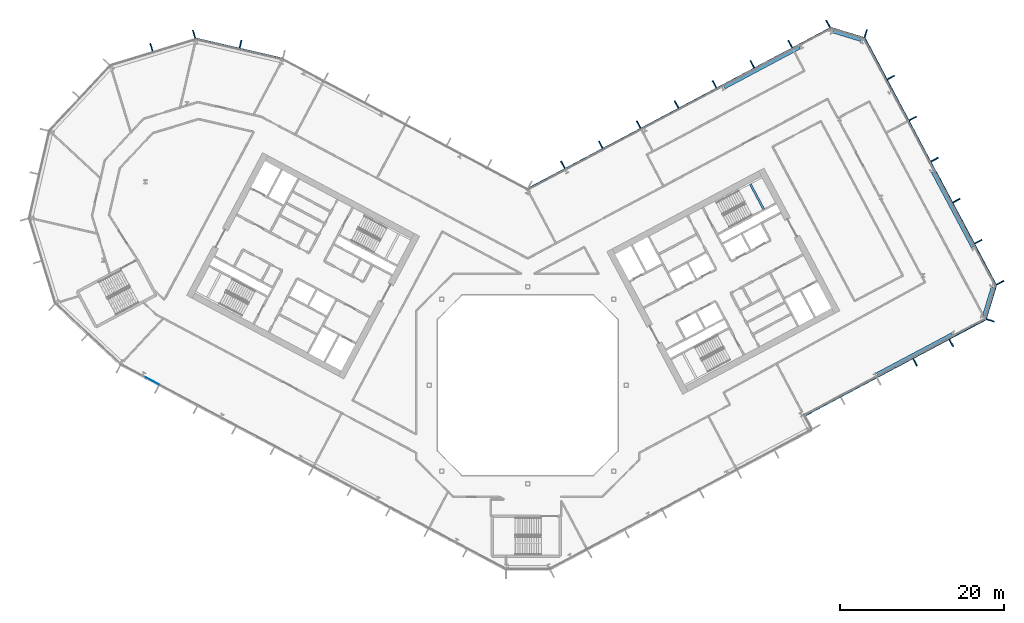
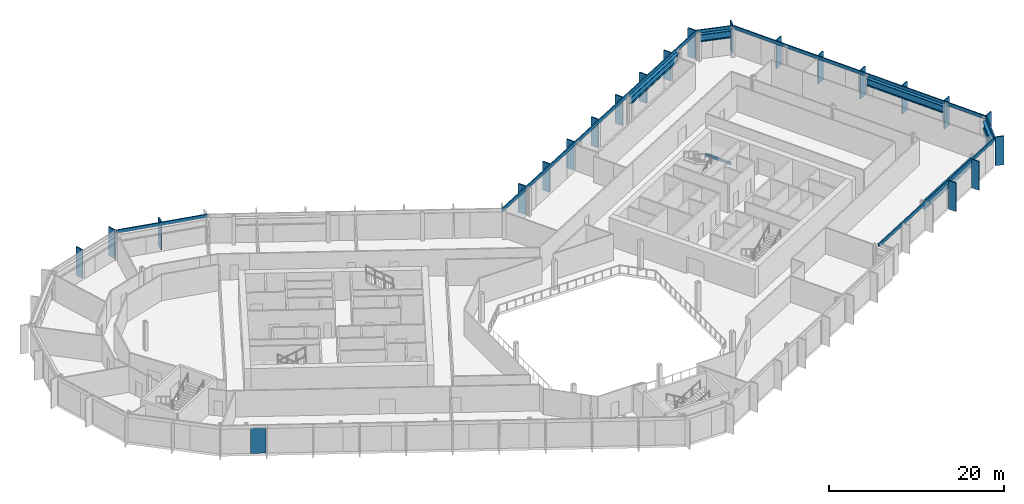
# One storey, part 10 of 28: 27 members, 6 beams, 1 plate, 8 elements without a shape of their own.
"""IFC4 building model written with IfcOpenShell, lengths in metres."""

from ifc_helpers import new_model, si_unit, direction, frame, origin, origin_2d, place, context, subcontext, project, spatial, rectangle, i_section, extrude, material, layer, layer_set, material_profile, profile_set, type_object, element, aggregate, save


model = new_model("IFC4")

# Units and contexts
model_context = context("Model", 3, precision=1e-05, world=origin(), true_north=direction((0.0, 1.0)))
body_context = subcontext(model_context, "Body", "Model", "MODEL_VIEW")
ifc_project = project(units=[si_unit("LENGTHUNIT", "METRE"), si_unit("AREAUNIT", "SQUARE_METRE"), si_unit("VOLUMEUNIT", "CUBIC_METRE"), si_unit("PLANEANGLEUNIT", "RADIAN"), si_unit("MASSUNIT", "GRAM", prefix="KILO")], contexts=[model_context])

# Site, building, storey
site_placement = place(None, origin())
site = spatial("IfcSite", under=ifc_project, at=site_placement, CompositionType="ELEMENT")
building_placement = place(site_placement, origin())
building = spatial("IfcBuilding", under=site, at=building_placement, Name="Cormorant Relay Tower", CompositionType="ELEMENT")
storey_placement = place(building_placement, frame((0.0, 0.0, 166.199951171875)))
storey = spatial("IfcBuildingStorey", under=building, at=storey_placement, Name="L35", CompositionType="ELEMENT", Elevation=166.199951171875)

# Curtain wall, members
ifc_material_1 = material(Name="Aluminium 6063-T6 anodised bronze", Category="aluminium")
ifc_layer_1 = layer(ifc_material_1, 0.199951171875)
ifc_layer_set_1 = layer_set([ifc_layer_1], Name="CW1 unitised bronze curtain wall with vertical fins")
curtain_wall_type = type_object("IfcCurtainWallType", Name="CW1 unitised bronze curtain wall with vertical fins", PredefinedType="NOTDEFINED", material=ifc_layer_set_1)
curtain_wall_1_placement = place(storey_placement, origin())
curtain_wall_1 = element("IfcCurtainWall", 1, at=curtain_wall_1_placement, inside=storey, type_object=curtain_wall_type, Name="CW1 curtain wall 4", PredefinedType="NOTDEFINED")
ifc_material_2 = material(Name="Aluminium 6063-T6 anodised bronze", Category="aluminium")
ifc_material_profile_1 = material_profile(ifc_material_2, rectangle(XDim=0.14990234375, YDim=1.0, at=origin_2d()), Name="AL 150x1000")
ifc_profile_set_1 = profile_set([ifc_material_profile_1], Name="Aluminium 6063-T6 anodised bronze")
member_type_1 = type_object("IfcMemberType", Name="CW1 bronze fin mullion 150 x 1000", PredefinedType="MULLION", material=ifc_profile_set_1)
member_1_placement = place(storey_placement, frame((47.21533203125, 2.793212890625, 0.0), z_axis=(0.0, 0.0, 1.0), x_axis=(0.882947592859, 0.469471562786, 0.0)))
member_1 = element("IfcMember", 2, at=member_1_placement, type_object=member_type_1, Name="CW1 fin 4.4", PredefinedType="MULLION", context=body_context, shape_type="SweptSolid", body=[
    extrude(rectangle(XDim=0.14990234375, YDim=1.0, at=origin_2d()), origin(), (0.0, 0.0, 1.0), 4.0),
])
member_2_placement = place(storey_placement, frame((51.630126953125, 5.140625, 0.0), z_axis=(0.0, 0.0, 1.0), x_axis=(0.882947592859, 0.469471562786, 0.0)))
member_2 = element("IfcMember", 3, at=member_2_placement, type_object=member_type_1, Name="CW1 fin 4.5", PredefinedType="MULLION", context=body_context, shape_type="SweptSolid", body=[
    extrude(rectangle(XDim=0.14990234375, YDim=1.0, at=origin_2d()), origin(), (0.0, 0.0, 1.0), 4.0),
])

# Curtain wall, member
curtain_wall_2_placement = place(storey_placement, origin())
curtain_wall_2 = element("IfcCurtainWall", 4, at=curtain_wall_2_placement, inside=storey, type_object=curtain_wall_type, Name="CW1 curtain wall 5", PredefinedType="NOTDEFINED")
member_3_placement = place(storey_placement, frame((56.385498046875, 7.9013671875, 0.0), z_axis=(0.0, 0.0, 1.0), x_axis=(0.292371704723, 0.956304755963, 0.0)))
member_3 = element("IfcMember", 5, at=member_3_placement, type_object=member_type_1, Name="CW1 fin 5.1", PredefinedType="MULLION", context=body_context, shape_type="SweptSolid", body=[
    extrude(rectangle(XDim=0.14990234375, YDim=1.0, at=origin_2d()), origin(), (0.0, 0.0, 1.0), 4.0),
])

# Curtain wall, members
curtain_wall_3_placement = place(storey_placement, origin())
curtain_wall_3 = element("IfcCurtainWall", 6, at=curtain_wall_3_placement, inside=storey, type_object=curtain_wall_type, Name="CW1 curtain wall 6", PredefinedType="NOTDEFINED")
member_4_placement = place(storey_placement, frame((57.57470703125, 12.491943359375, 0.0), z_axis=(0.0, 0.0, 1.0), x_axis=(-0.469471562786, 0.882947592859, 0.0)))
member_4 = element("IfcMember", 7, at=member_4_placement, type_object=member_type_1, Name="CW1 fin 6.1", PredefinedType="MULLION", context=body_context, shape_type="SweptSolid", body=[
    extrude(rectangle(XDim=0.14990234375, YDim=1.0, at=origin_2d()), origin(), (0.0, 0.0, 1.0), 4.0),
])
member_5_placement = place(storey_placement, frame((54.914306640625, 17.4951171875, 0.0), z_axis=(0.0, 0.0, 1.0), x_axis=(-0.469471562786, 0.882947592859, 0.0)))
member_5 = element("IfcMember", 8, at=member_5_placement, type_object=member_type_1, Name="CW1 fin 6.2", PredefinedType="MULLION", context=body_context, shape_type="SweptSolid", body=[
    extrude(rectangle(XDim=0.14990234375, YDim=1.0, at=origin_2d()), origin(), (0.0, 0.0, 1.0), 4.0),
])
member_6_placement = place(storey_placement, frame((52.25390625, 22.49853515625, 0.0), z_axis=(0.0, 0.0, 1.0), x_axis=(-0.469471562786, 0.882947592859, 0.0)))
member_6 = element("IfcMember", 9, at=member_6_placement, type_object=member_type_1, Name="CW1 fin 6.3", PredefinedType="MULLION", context=body_context, shape_type="SweptSolid", body=[
    extrude(rectangle(XDim=0.14990234375, YDim=1.0, at=origin_2d()), origin(), (0.0, 0.0, 1.0), 4.0),
])
member_7_placement = place(storey_placement, frame((49.59375, 27.501953125, 0.0), z_axis=(0.0, 0.0, 1.0), x_axis=(-0.469471562786, 0.882947592859, 0.0)))
member_7 = element("IfcMember", 10, at=member_7_placement, type_object=member_type_1, Name="CW1 fin 6.4", PredefinedType="MULLION", context=body_context, shape_type="SweptSolid", body=[
    extrude(rectangle(XDim=0.14990234375, YDim=1.0, at=origin_2d()), origin(), (0.0, 0.0, 1.0), 4.0),
])
member_8_placement = place(storey_placement, frame((46.933349609375, 32.50537109375, 0.0), z_axis=(0.0, 0.0, 1.0), x_axis=(-0.469471562786, 0.882947592859, 0.0)))
member_8 = element("IfcMember", 11, at=member_8_placement, type_object=member_type_1, Name="CW1 fin 6.5", PredefinedType="MULLION", context=body_context, shape_type="SweptSolid", body=[
    extrude(rectangle(XDim=0.14990234375, YDim=1.0, at=origin_2d()), origin(), (0.0, 0.0, 1.0), 4.0),
])
member_9_placement = place(storey_placement, frame((44.27294921875, 37.5087890625, 0.0), z_axis=(0.0, 0.0, 1.0), x_axis=(-0.469471562786, 0.882947592859, 0.0)))
member_9 = element("IfcMember", 12, at=member_9_placement, type_object=member_type_1, Name="CW1 fin 6.6", PredefinedType="MULLION", context=body_context, shape_type="SweptSolid", body=[
    extrude(rectangle(XDim=0.14990234375, YDim=1.0, at=origin_2d()), origin(), (0.0, 0.0, 1.0), 4.0),
])

# Curtain wall, member
curtain_wall_4_placement = place(storey_placement, origin())
curtain_wall_4 = element("IfcCurtainWall", 13, at=curtain_wall_4_placement, inside=storey, type_object=curtain_wall_type, Name="CW1 curtain wall 7", PredefinedType="NOTDEFINED")
member_10_placement = place(storey_placement, frame((41.19921875, 42.852783203125, 0.0), z_axis=(0.0, 0.0, 1.0), x_axis=(-0.956304755963, 0.292371704723, 0.0)))
member_10 = element("IfcMember", 14, at=member_10_placement, type_object=member_type_1, Name="CW1 fin 7.1", PredefinedType="MULLION", context=body_context, shape_type="SweptSolid", body=[
    extrude(rectangle(XDim=0.14990234375, YDim=1.0, at=origin_2d()), origin(), (0.0, 0.0, 1.0), 4.0),
])

# Curtain wall, members
curtain_wall_5_placement = place(storey_placement, origin())
curtain_wall_5 = element("IfcCurtainWall", 15, at=curtain_wall_5_placement, inside=storey, type_object=curtain_wall_type, Name="CW1 curtain wall 8", PredefinedType="NOTDEFINED")
member_11_placement = place(storey_placement, frame((36.608642578125, 44.0419921875, 0.0), z_axis=(0.0, 0.0, 1.0), x_axis=(-0.882947592859, -0.469471562786, 0.0)))
member_11 = element("IfcMember", 16, at=member_11_placement, type_object=member_type_1, Name="CW1 fin 8.1", PredefinedType="MULLION", context=body_context, shape_type="SweptSolid", body=[
    extrude(rectangle(XDim=0.14990234375, YDim=1.0, at=origin_2d()), origin(), (0.0, 0.0, 1.0), 4.0),
])
member_12_placement = place(storey_placement, frame((31.991455078125, 41.5869140625, 0.0), z_axis=(0.0, 0.0, 1.0), x_axis=(-0.882947592859, -0.469471562786, 0.0)))
member_12 = element("IfcMember", 17, at=member_12_placement, type_object=member_type_1, Name="CW1 fin 8.2", PredefinedType="MULLION", context=body_context, shape_type="SweptSolid", body=[
    extrude(rectangle(XDim=0.14990234375, YDim=1.0, at=origin_2d()), origin(), (0.0, 0.0, 1.0), 4.0),
])
member_13_placement = place(storey_placement, frame((27.37451171875, 39.132080078125, 0.0), z_axis=(0.0, 0.0, 1.0), x_axis=(-0.882947592859, -0.469471562786, 0.0)))
member_13 = element("IfcMember", 18, at=member_13_placement, type_object=member_type_1, Name="CW1 fin 8.3", PredefinedType="MULLION", context=body_context, shape_type="SweptSolid", body=[
    extrude(rectangle(XDim=0.14990234375, YDim=1.0, at=origin_2d()), origin(), (0.0, 0.0, 1.0), 4.0),
])
member_14_placement = place(storey_placement, frame((22.757080078125, 36.677001953125, 0.0), z_axis=(0.0, 0.0, 1.0), x_axis=(-0.882947592859, -0.469471562786, 0.0)))
member_14 = element("IfcMember", 19, at=member_14_placement, type_object=member_type_1, Name="CW1 fin 8.4", PredefinedType="MULLION", context=body_context, shape_type="SweptSolid", body=[
    extrude(rectangle(XDim=0.14990234375, YDim=1.0, at=origin_2d()), origin(), (0.0, 0.0, 1.0), 4.0),
])
member_15_placement = place(storey_placement, frame((18.139892578125, 34.221923828125, 0.0), z_axis=(0.0, 0.0, 1.0), x_axis=(-0.882947592859, -0.469471562786, 0.0)))
member_15 = element("IfcMember", 20, at=member_15_placement, type_object=member_type_1, Name="CW1 fin 8.5", PredefinedType="MULLION", context=body_context, shape_type="SweptSolid", body=[
    extrude(rectangle(XDim=0.14990234375, YDim=1.0, at=origin_2d()), origin(), (0.0, 0.0, 1.0), 4.0),
])
member_16_placement = place(storey_placement, frame((13.52294921875, 31.76708984375, 0.0), z_axis=(0.0, 0.0, 1.0), x_axis=(-0.882947592859, -0.469471562786, 0.0)))
member_16 = element("IfcMember", 21, at=member_16_placement, type_object=member_type_1, Name="CW1 fin 8.6", PredefinedType="MULLION", context=body_context, shape_type="SweptSolid", body=[
    extrude(rectangle(XDim=0.14990234375, YDim=1.0, at=origin_2d()), origin(), (0.0, 0.0, 1.0), 4.0),
])
member_17_placement = place(storey_placement, frame((8.90576171875, 29.31201171875, 0.0), z_axis=(0.0, 0.0, 1.0), x_axis=(-0.882947592859, -0.469471562786, 0.0)))
member_17 = element("IfcMember", 22, at=member_17_placement, type_object=member_type_1, Name="CW1 fin 8.7", PredefinedType="MULLION", context=body_context, shape_type="SweptSolid", body=[
    extrude(rectangle(XDim=0.14990234375, YDim=1.0, at=origin_2d()), origin(), (0.0, 0.0, 1.0), 4.0),
])
member_18_placement = place(storey_placement, frame((4.28857421875, 26.85693359375, 0.0), z_axis=(0.0, 0.0, 1.0), x_axis=(-0.882947592859, -0.469471562786, 0.0)))
member_18 = element("IfcMember", 23, at=member_18_placement, type_object=member_type_1, Name="CW1 fin 8.8", PredefinedType="MULLION", context=body_context, shape_type="SweptSolid", body=[
    extrude(rectangle(XDim=0.14990234375, YDim=1.0, at=origin_2d()), origin(), (0.0, 0.0, 1.0), 4.0),
])

# Curtain wall, member
curtain_wall_6_placement = place(storey_placement, origin())
curtain_wall_6 = element("IfcCurtainWall", 24, at=curtain_wall_6_placement, inside=storey, type_object=curtain_wall_type, Name="CW1 curtain wall 10", PredefinedType="NOTDEFINED")
member_19_placement = place(storey_placement, frame((-35.01220703125, 41.57275390625, 0.0), z_axis=(0.0, 0.0, 1.0), x_axis=(-0.974370064785, 0.224951054344, 0.0)))
member_19 = element("IfcMember", 25, at=member_19_placement, type_object=member_type_1, Name="CW1 fin 10.2", PredefinedType="MULLION", context=body_context, shape_type="SweptSolid", body=[
    extrude(rectangle(XDim=0.14990234375, YDim=1.0, at=origin_2d()), origin(), (0.0, 0.0, 1.0), 4.0),
])

# Curtain wall, members
curtain_wall_7_placement = place(storey_placement, origin())
curtain_wall_7 = element("IfcCurtainWall", 26, at=curtain_wall_7_placement, inside=storey, type_object=curtain_wall_type, Name="CW1 curtain wall 11", PredefinedType="NOTDEFINED")
member_20_placement = place(storey_placement, frame((-40.670166015625, 42.78271484375, 0.0), z_axis=(0.0, 0.0, 1.0), x_axis=(-0.956304755963, -0.292371704723, 0.0)))
member_20 = element("IfcMember", 27, at=member_20_placement, type_object=member_type_1, Name="CW1 fin 11.1", PredefinedType="MULLION", context=body_context, shape_type="SweptSolid", body=[
    extrude(rectangle(XDim=0.14990234375, YDim=1.0, at=origin_2d()), origin(), (0.0, 0.0, 1.0), 4.0),
])
member_21_placement = place(storey_placement, frame((-45.867919921875, 41.193603515625, 0.0), z_axis=(0.0, 0.0, 1.0), x_axis=(-0.956304755963, -0.292371704723, 0.0)))
member_21 = element("IfcMember", 28, at=member_21_placement, type_object=member_type_1, Name="CW1 fin 11.2", PredefinedType="MULLION", context=body_context, shape_type="SweptSolid", body=[
    extrude(rectangle(XDim=0.14990234375, YDim=1.0, at=origin_2d()), origin(), (0.0, 0.0, 1.0), 4.0),
])
aggregate(curtain_wall_7, [member_20, member_21])

# Member
ifc_material_3 = material(Name="Aluminium 6063-T6 anodised bronze", Category="aluminium")
ifc_material_profile_2 = material_profile(ifc_material_3, rectangle(XDim=0.159912109375, YDim=0.449951171875, at=origin_2d()), Name="AL 160x450")
ifc_profile_set_2 = profile_set([ifc_material_profile_2], Name="Aluminium 6063-T6 anodised bronze")
member_type_2 = type_object("IfcMemberType", Name="CW1 bronze transom 160 x 450", PredefinedType="USERDEFINED", material=ifc_profile_set_2)
member_22_placement = place(storey_placement, frame((33.69873046875, -3.73681640625, 3.775146484375), z_axis=(0.88294749795, 0.469471741284, 0.0), x_axis=(-0.469471741284, 0.88294749795, 0.0)))
member_22 = element("IfcMember", 29, at=member_22_placement, type_object=member_type_2, Name="CW1 transom 4", ObjectType="TRANSOM", PredefinedType="USERDEFINED", context=body_context, shape_type="SweptSolid", body=[
    extrude(rectangle(XDim=0.159912109375, YDim=0.449951171875, at=origin_2d()), origin(), (0.0, 0.0, 1.0), 25.0),
])

aggregate(curtain_wall_1, [member_1, member_2, member_22])

member_23_placement = place(storey_placement, frame((55.830810546875, 8.07080078125, 3.775146484375), z_axis=(0.292374957137, 0.956303761594, 0.0), x_axis=(-0.956303761594, 0.292374957137, 0.0)))
member_23 = element("IfcMember", 30, at=member_23_placement, type_object=member_type_2, Name="CW1 transom 5", ObjectType="TRANSOM", PredefinedType="USERDEFINED", context=body_context, shape_type="SweptSolid", body=[
    extrude(rectangle(XDim=0.159912109375, YDim=0.449951171875, at=origin_2d()), origin(), (0.0, 0.0, 1.0), 4.24267578125),
])

aggregate(curtain_wall_2, [member_3, member_23])

member_24_placement = place(storey_placement, frame((57.0625, 12.219482421875, 3.775146484375), z_axis=(-0.469468277635, 0.882949339597, 0.0), x_axis=(-0.882949339597, -0.469468277635, 0.0)))
member_24 = element("IfcMember", 31, at=member_24_placement, type_object=member_type_2, Name="CW1 transom 6", ObjectType="TRANSOM", PredefinedType="USERDEFINED", context=body_context, shape_type="SweptSolid", body=[
    extrude(rectangle(XDim=0.159912109375, YDim=0.449951171875, at=origin_2d()), origin(), (0.0, 0.0, 1.0), 34.0),
])

aggregate(curtain_wall_3, [member_4, member_5, member_6, member_7, member_8, member_9, member_24])

member_25_placement = place(storey_placement, frame((41.02978515625, 42.298095703125, 3.775146484375), z_axis=(-0.956303761594, 0.292374957137, 0.0), x_axis=(-0.292374957137, -0.956303761594, 0.0)))
member_25 = element("IfcMember", 32, at=member_25_placement, type_object=member_type_2, Name="CW1 transom 7", ObjectType="TRANSOM", PredefinedType="USERDEFINED", context=body_context, shape_type="SweptSolid", body=[
    extrude(rectangle(XDim=0.159912109375, YDim=0.449951171875, at=origin_2d()), origin(), (0.0, 0.0, 1.0), 4.24267578125),
])

aggregate(curtain_wall_4, [member_10, member_25])

member_26_placement = place(storey_placement, frame((36.881103515625, 43.52978515625, 3.775146484375), z_axis=(-0.88294882701, -0.469469241677, 0.0), x_axis=(0.469469241677, -0.88294882701, 0.0)))
member_26 = element("IfcMember", 33, at=member_26_placement, type_object=member_type_2, Name="CW1 transom 8", ObjectType="TRANSOM", PredefinedType="USERDEFINED", context=body_context, shape_type="SweptSolid", body=[
    extrude(rectangle(XDim=0.159912109375, YDim=0.449951171875, at=origin_2d()), origin(), (0.0, 0.0, 1.0), 41.834228515625),
])

aggregate(curtain_wall_5, [member_11, member_12, member_13, member_14, member_15, member_16, member_17, member_18, member_26])

member_27_placement = place(storey_placement, frame((-29.8466796875, 39.784912109375, 3.775146484375), z_axis=(-0.974365070969, 0.224972683844, 0.0), x_axis=(-0.224972683844, -0.974365070969, 0.0)))
member_27 = element("IfcMember", 34, at=member_27_placement, type_object=member_type_2, Name="CW1 transom 10", ObjectType="TRANSOM", PredefinedType="USERDEFINED", context=body_context, shape_type="SweptSolid", body=[
    extrude(rectangle(XDim=0.159912109375, YDim=0.449951171875, at=origin_2d()), origin(), (0.0, 0.0, 1.0), 10.870361328125),
])

aggregate(curtain_wall_6, [member_19, member_27])

# Beams
ifc_material_4 = material(Name="Steel ASTM A992 (Fy 345 MPa)", Category="steel")
ifc_material_profile_3 = material_profile(ifc_material_4, i_section(OverallWidth=0.4013671875, OverallDepth=1.000732421875, WebThickness=0.01904296875, FlangeThickness=0.0361328125, FilletRadius=0.02978515625, at=origin_2d()), Name="W1000x371")
ifc_profile_set_3 = profile_set([ifc_material_profile_3], Name="Steel ASTM A992 (Fy 345 MPa)")
beam_type_1 = type_object("IfcBeamType", Name="Spandrel W1000x371", PredefinedType="SPANDREL", material=ifc_profile_set_3)
beam_1_placement = place(storey_placement, frame((42.5595703125, 1.337890625, 3.1396484375), z_axis=(0.882955922346, 0.469455896963, 0.0), x_axis=(-0.469455896963, 0.882955922346, 0.0)))
element("IfcBeam", 35, at=beam_1_placement, inside=storey, type_object=beam_type_1, Name="Spandrel beam L35-004", PredefinedType="SPANDREL", context=body_context, shape_type="SweptSolid", body=[
    extrude(i_section(OverallWidth=0.4013671875, OverallDepth=1.000732421875, WebThickness=0.01904296875, FlangeThickness=0.0361328125, FilletRadius=0.02978515625, at=origin_2d()), origin(), (0.0, 0.0, 1.0), 10.388427734375),
])
beam_2_placement = place(storey_placement, frame((55.62548828125, 8.495849609375, 3.1396484375), z_axis=(0.29237248799, 0.956304516494, 0.0), x_axis=(-0.956304516494, 0.29237248799, 0.0)))
element("IfcBeam", 36, at=beam_2_placement, inside=storey, type_object=beam_type_1, Name="Spandrel beam L35-005", PredefinedType="SPANDREL", context=body_context, shape_type="SweptSolid", body=[
    extrude(i_section(OverallWidth=0.4013671875, OverallDepth=1.000732421875, WebThickness=0.01904296875, FlangeThickness=0.0361328125, FilletRadius=0.02978515625, at=origin_2d()), origin(), (0.0, 0.0, 1.0), 3.585693359375),
])
beam_3_placement = place(storey_placement, frame((54.24169921875, 16.841796875, 3.1396484375), z_axis=(-0.469474218299, 0.882946180893, 0.0), x_axis=(-0.882946180893, -0.469474218299, 0.0)))
element("IfcBeam", 37, at=beam_3_placement, inside=storey, type_object=beam_type_1, Name="Spandrel beam L35-006", PredefinedType="SPANDREL", context=body_context, shape_type="SweptSolid", body=[
    extrude(i_section(OverallWidth=0.4013671875, OverallDepth=1.000732421875, WebThickness=0.01904296875, FlangeThickness=0.0361328125, FilletRadius=0.02978515625, at=origin_2d()), origin(), (0.0, 0.0, 1.0), 10.388671875),
])
beam_4_placement = place(storey_placement, frame((40.605224609375, 42.0927734375, 3.1396484375), z_axis=(-0.956311914022, 0.292348290742, 0.0), x_axis=(-0.292348290742, -0.956311914022, 0.0)))
element("IfcBeam", 38, at=beam_4_placement, inside=storey, type_object=beam_type_1, Name="Spandrel beam L35-007", PredefinedType="SPANDREL", context=body_context, shape_type="SweptSolid", body=[
    extrude(i_section(OverallWidth=0.4013671875, OverallDepth=1.000732421875, WebThickness=0.01904296875, FlangeThickness=0.0361328125, FilletRadius=0.02978515625, at=origin_2d()), origin(), (0.0, 0.0, 1.0), 3.585205078125),
])
beam_5_placement = place(storey_placement, frame((33.141357421875, 41.17822265625, 3.1396484375), z_axis=(-0.882955922346, -0.469455896963, 0.0), x_axis=(0.469455896963, -0.882955922346, 0.0)))
element("IfcBeam", 39, at=beam_5_placement, inside=storey, type_object=beam_type_1, Name="Spandrel beam L35-008", PredefinedType="SPANDREL", context=body_context, shape_type="SweptSolid", body=[
    extrude(i_section(OverallWidth=0.4013671875, OverallDepth=1.000732421875, WebThickness=0.01904296875, FlangeThickness=0.0361328125, FilletRadius=0.02978515625, at=origin_2d()), origin(), (0.0, 0.0, 1.0), 10.388427734375),
])
ifc_material_5 = material(Name="Concrete 50 MPa", Category="concrete")
ifc_material_profile_4 = material_profile(ifc_material_5, rectangle(XDim=0.25, YDim=0.300048828125, at=origin_2d()), Name="RC 250x300")
ifc_profile_set_4 = profile_set([ifc_material_profile_4], Name="Concrete 50 MPa")
beam_type_2 = type_object("IfcBeamType", Name="Stair landing ledge beam 250x300", PredefinedType="BEAM", material=ifc_profile_set_4)
beam_6_placement = place(storey_placement, frame((28.755126953125, 21.4619140625, 1.650146484375), z_axis=(-0.469463917486, 0.882951657895, 0.0), x_axis=(-0.882951657895, -0.469463917486, 0.0)))
element("IfcBeam", 40, at=beam_6_placement, inside=storey, type_object=beam_type_2, Name="B2 landing ledge beam", PredefinedType="BEAM", context=body_context, shape_type="SweptSolid", body=[
    extrude(rectangle(XDim=0.25, YDim=0.300048828125, at=origin_2d()), origin(), (0.0, 0.0, 1.0), 3.449951171875),
])

# Curtain wall, plate
curtain_wall_8_placement = place(storey_placement, origin())
curtain_wall_8 = element("IfcCurtainWall", 41, at=curtain_wall_8_placement, inside=storey, type_object=curtain_wall_type, Name="CW1 curtain wall 16", PredefinedType="NOTDEFINED")
ifc_material_6 = material(Name="Tinted laminated glass", Category="glass")
ifc_layer_2 = layer(ifc_material_6, 0.0400390625)
ifc_layer_set_2 = layer_set([ifc_layer_2], Name="CW1 tinted vision panel 1800 module")
plate_type = type_object("IfcPlateType", Name="CW1 tinted vision panel 1800 module", PredefinedType="CURTAIN_PANEL", material=ifc_layer_set_2)
plate_placement = place(storey_placement, frame((-45.767578125, 0.5283203125, 0.0), z_axis=(0.0, 0.0, 1.0), x_axis=(0.882947592859, -0.469471562786, 0.0)))
plate = element("IfcPlate", 42, at=plate_placement, type_object=plate_type, Name="CW1 panel V01", PredefinedType="CURTAIN_PANEL", context=body_context, shape_type="SweptSolid", body=[
    extrude(rectangle(XDim=1.800048828125, YDim=0.0400390625, at=origin_2d()), origin(), (0.0, 0.0, 1.0), 3.550048828125),
])
aggregate(curtain_wall_8, [plate])

save(model, "model.ifc")
